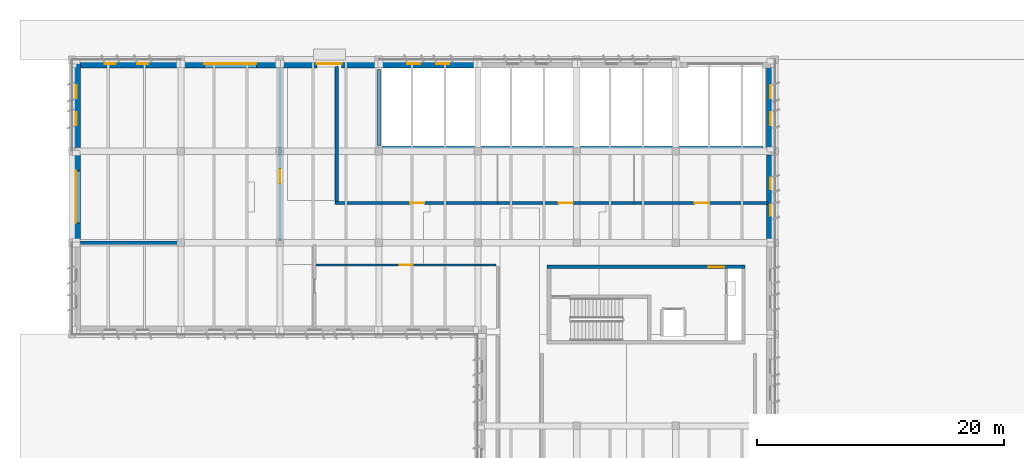
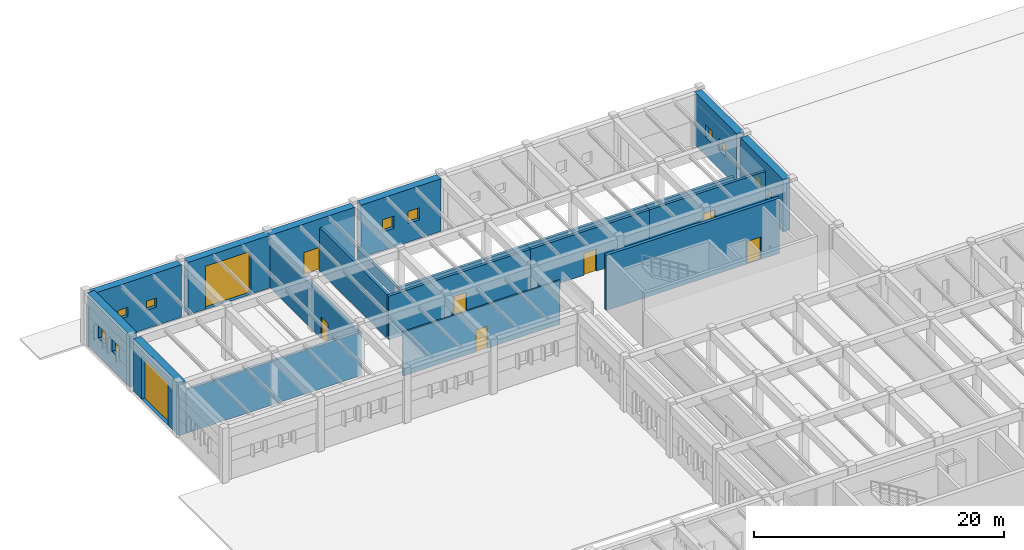
# One storey, part 23 of 56: 18 walls, 10 windows, 9 doors, 19 openings.
"""IFC4 building model written with IfcOpenShell, lengths in metres."""

import ifcopenshell
import ifcopenshell.guid

model = None  # the IFC model being written
_history = None  # IfcOwnerHistory: only IFC2X3 demands one
_inside = {}  # id of a spatial element -> (the spatial element, [elements in it])
_under = {}  # id of a project, library or spatial element -> (it, [spatial elements below it])
_declared = {}  # id of a project -> (the project, [libraries it declares])
_typed = {}  # id of a type object -> (the type object, [elements of that type])
_made_of = {}  # id of a material, layer set ... -> (it, [elements and type objects made of it])


def new_model(schema):
    """Start an empty IFC model of exactly this schema.

    Asked for "IFC4X3", IfcOpenShell would pick the latest addendum, in which some entities
    have other attributes; the version numbers below select the first issue.
    IFC2X3 requires an IfcOwnerHistory on every rooted entity: one is made here for all.
    """
    global model, _history
    if schema == "IFC4X3":
        model = ifcopenshell.file(schema_version=(4, 3, 0, 0))
    else:
        model = ifcopenshell.file(schema=schema)
    _inside.clear()
    _under.clear()
    _declared.clear()
    _typed.clear()
    _made_of.clear()
    _history = None
    if model.schema == "IFC2X3":
        org = make("IfcOrganization", Name="unknown")
        user = make(
            "IfcPersonAndOrganization",
            ThePerson=make("IfcPerson", FamilyName="unknown"),
            TheOrganization=org,
        )
        app = make(
            "IfcApplication",
            ApplicationDeveloper=org,
            Version="unknown",
            ApplicationFullName="unknown",
            ApplicationIdentifier="unknown",
        )
        _history = make(
            "IfcOwnerHistory",
            OwningUser=user,
            OwningApplication=app,
            ChangeAction="ADDED",
            CreationDate=0,
        )
    return model


def make(cls, **values):
    """One entity of the class cls with the attributes given. An attribute that is None is left unset."""
    return model.create_entity(
        cls, **{name: value for name, value in values.items() if value is not None}
    )


def rooted(cls, **values):
    """An entity with a GlobalId (a new one), such as an element, a storey or a relation."""
    return make(cls, GlobalId=ifcopenshell.guid.new(), OwnerHistory=_history, **values)


def si_unit(unit_type, name, prefix=None):
    """IfcSIUnit, for example si_unit("LENGTHUNIT", "METRE", prefix="MILLI")."""
    return make("IfcSIUnit", UnitType=unit_type, Prefix=prefix, Name=name)


def assignment(units):
    """IfcUnitAssignment: the units of a project."""
    return None if units is None else make("IfcUnitAssignment", Units=units)


def point(xyz):
    """IfcCartesianPoint."""
    return None if xyz is None else make("IfcCartesianPoint", Coordinates=xyz)


def direction(xyz):
    """IfcDirection."""
    return None if xyz is None else make("IfcDirection", DirectionRatios=xyz)


def frame(location, z_axis=None, x_axis=None):
    """IfcAxis2Placement3D, a coordinate frame: its origin and axes. An axis left out is left unset."""
    return make(
        "IfcAxis2Placement3D",
        Location=point(location),
        Axis=direction(z_axis),
        RefDirection=direction(x_axis),
    )


def frame_2d(location, x_axis=None):
    """IfcAxis2Placement2D, a coordinate frame in the plane: its origin and x axis."""
    return make(
        "IfcAxis2Placement2D", Location=point(location), RefDirection=direction(x_axis)
    )


def origin():
    """The frame at (0, 0, 0) with its axes left unset."""
    return frame((0.0, 0.0, 0.0))


def place(relative_to, where):
    """IfcLocalPlacement: puts the frame where relative to a parent placement (None: the world)."""
    return make(
        "IfcLocalPlacement", PlacementRelTo=relative_to, RelativePlacement=where
    )


def context(
    kind, dimensions, precision=None, world=None, true_north=None, identifier=None
):
    """IfcGeometricRepresentationContext, for example the 3D "Model" context."""
    return make(
        "IfcGeometricRepresentationContext",
        ContextIdentifier=identifier,
        ContextType=kind,
        CoordinateSpaceDimension=dimensions,
        Precision=precision,
        WorldCoordinateSystem=world,
        TrueNorth=true_north,
    )


def subcontext(parent, identifier, kind, view, scale=None):
    """IfcGeometricRepresentationSubContext, for example "Body" below "Model"."""
    return make(
        "IfcGeometricRepresentationSubContext",
        ContextIdentifier=identifier,
        ContextType=kind,
        ParentContext=parent,
        TargetScale=scale,
        TargetView=view,
    )


def project(units=None, contexts=None):
    """IfcProject with its units and contexts."""
    return rooted(
        "IfcProject",
        Name="project",
        RepresentationContexts=contexts,
        UnitsInContext=assignment(units),
    )


def spatial(cls, under=None, at=None, **own):
    """A site, building, storey or space (cls), placed at a placement, below another one or the project."""
    s = rooted(cls, ObjectPlacement=at, **own)
    if under is not None:
        _under.setdefault(under.id(), (under, []))[1].append(s)
    return s


def profile(cls, at=None, kind="AREA", **sizes):
    """A parametric profile (cls). Its sizes go by their IFC names, for example OverallWidth=200.0."""
    return make(cls, ProfileType=kind, Position=at, **sizes)


def rectangle(**sizes):
    """IfcRectangleProfileDef."""
    return profile("IfcRectangleProfileDef", **sizes)


def extrude(swept, where, along, depth):
    """IfcExtrudedAreaSolid: the profile swept, set in the frame where, extruded along a direction by depth."""
    return make(
        "IfcExtrudedAreaSolid",
        SweptArea=swept,
        Position=where,
        ExtrudedDirection=direction(along),
        Depth=depth,
    )


def shape(context_of_items, identifier, shape_type, items):
    """IfcShapeRepresentation: the items that make up one representation, for example the "Body"."""
    return make(
        "IfcShapeRepresentation",
        ContextOfItems=context_of_items,
        RepresentationIdentifier=identifier,
        RepresentationType=shape_type,
        Items=items,
    )


def material(Name=None, Category=None):
    """IfcMaterial."""
    return make("IfcMaterial", Name=Name, Category=Category)


def layer(
    of_material, thickness, ventilated=None, Name=None, Category=None, Priority=None
):
    """IfcMaterialLayer: one layer of a wall or slab, of a material (None: an air gap)."""
    return make(
        "IfcMaterialLayer",
        Material=of_material,
        LayerThickness=thickness,
        IsVentilated=ventilated,
        Name=Name,
        Category=Category,
        Priority=Priority,
    )


def layer_set(layers, Name=None):
    """IfcMaterialLayerSet."""
    return make("IfcMaterialLayerSet", MaterialLayers=layers, LayerSetName=Name)


def made_of(thing, what):
    """Note that an element or type object is made of a material, layer set ...; save() writes the relation."""
    if what is not None:
        _made_of.setdefault(what.id(), (what, []))[1].append(thing)
    return thing


def type_object(cls, material=None, **own):
    """A type object (cls), such as IfcWallType, which elements share."""
    return made_of(rooted(cls, **own), material)


def element(
    cls,
    number,
    at=None,
    inside=None,
    cuts=None,
    type_object=None,
    material=None,
    context=None,
    identifier="Body",
    shape_type=None,
    held_by="IfcProductDefinitionShape",
    body=None,
    shapes=None,
    **own,
):
    """One element of the class cls, such as IfcWall. Its Tag is "e" and its number.

    at: its placement. inside: the storey or other place that contains it. cuts: it is an
    opening in that element (IfcRelVoidsElement). A single representation is given by context,
    identifier, shape_type and body (its items); several are given by shapes. held_by: the class
    of the entity that holds the representations. save() writes the other relations.
    """
    e = rooted(cls, Tag="e%d" % number, ObjectPlacement=at, **own)
    if body is not None:
        shapes = [shape(context, identifier, shape_type, body)]
    if shapes is not None:
        e.Representation = make(held_by, Representations=shapes)
    if inside is not None:
        _inside.setdefault(inside.id(), (inside, []))[1].append(e)
    if cuts is not None:
        rooted(
            "IfcRelVoidsElement", RelatingBuildingElement=cuts, RelatedOpeningElement=e
        )
    if type_object is not None:
        _typed.setdefault(type_object.id(), (type_object, []))[1].append(e)
    return made_of(e, material)


def fill(opening, filler):
    """IfcRelFillsElement: the door or window that sits in an opening."""
    return rooted(
        "IfcRelFillsElement",
        RelatingOpeningElement=opening,
        RelatedBuildingElement=filler,
    )


def aggregate(whole, parts):
    """IfcRelAggregates: a whole, such as a stair, and the parts it consists of."""
    return rooted("IfcRelAggregates", RelatingObject=whole, RelatedObjects=parts)


def save(model, path):
    """Write the relations noted so far, then the file.

    IfcRelAggregates (storeys below a building ...), IfcRelContainedInSpatialStructure (elements
    in a storey), IfcRelDefinesByType, IfcRelAssociatesMaterial and IfcRelDeclares: one each for
    every whole, place, type object, material and project.
    """
    for whole, parts in _under.values():
        aggregate(whole, parts)
    for where, things in _inside.values():
        rooted(
            "IfcRelContainedInSpatialStructure",
            RelatedElements=things,
            RelatingStructure=where,
        )
    for kind, things in _typed.values():
        rooted("IfcRelDefinesByType", RelatedObjects=things, RelatingType=kind)
    for what, things in _made_of.values():
        rooted("IfcRelAssociatesMaterial", RelatedObjects=things, RelatingMaterial=what)
    for by, libraries in _declared.values():
        rooted("IfcRelDeclares", RelatingContext=by, RelatedDefinitions=libraries)
    model.write(path)


model = new_model("IFC4")

# Units and contexts
model_context = context("Model", 3, precision=1e-05, world=origin(), true_north=direction((0.0, 1.0)))
body_context = subcontext(model_context, "Body", "Model", "MODEL_VIEW")
ifc_project = project(units=[si_unit("LENGTHUNIT", "METRE"), si_unit("AREAUNIT", "SQUARE_METRE"), si_unit("VOLUMEUNIT", "CUBIC_METRE"), si_unit("PLANEANGLEUNIT", "RADIAN"), si_unit("MASSUNIT", "GRAM", prefix="KILO")], contexts=[model_context])

# Site, building, storey
site_placement = place(None, origin())
site = spatial("IfcSite", under=ifc_project, at=site_placement, CompositionType="ELEMENT")
building_placement = place(site_placement, origin())
building = spatial("IfcBuilding", under=site, at=building_placement, Name="Valkorina Park Police Headquarters", CompositionType="ELEMENT")
storey_placement = place(building_placement, origin())
storey = spatial("IfcBuildingStorey", under=building, at=storey_placement, Name="L01", CompositionType="ELEMENT", Elevation=0.0)

# Wall, opening, door
ifc_material_1 = material(Name="Acoustic mineral board")
ifc_layer_1 = layer(ifc_material_1, 0.14990234375)
ifc_layer_set_1 = layer_set([ifc_layer_1], Name="Acoustic mineral board")
wall_type_1 = type_object("IfcWallType", Name="WL-ACOUST-150-EI30", PredefinedType="PARTITIONING", material=ifc_layer_set_1)
wall_1_placement = place(storey_placement, frame((19.739990234375, 94.39990234375, 0.0), z_axis=(0.0, 0.0, 1.0), x_axis=(1.0, 0.0, 0.0)))
wall_1 = element("IfcWall", 1, at=wall_1_placement, inside=storey, type_object=wall_type_1, Name="L01 Interior Partition 0078 (L01-CUS-05)", PredefinedType="PARTITIONING", context=body_context, shape_type="SweptSolid", body=[
    extrude(rectangle(XDim=14.52001953125, YDim=0.14990234375, at=frame_2d((7.260009765625, 0.0))), origin(), (0.0, 0.0, 1.0), 4.27001953125),
])
opening_1_placement = place(wall_1_placement, frame((6.735107421875, 0.0, 0.0)))
opening_1 = element("IfcOpeningElement", 2, at=opening_1_placement, cuts=wall_1, Name="Opening FD-01", PredefinedType="OPENING", context=body_context, shape_type="SweptSolid", body=[
    extrude(rectangle(XDim=1.050048828125, YDim=2.14990234375, at=frame_2d((0.52490234375, 1.074951171875))), frame((0.0, 0.0849609375, 0.0), z_axis=(0.0, -1.0, 0.0), x_axis=(1.0, 0.0, 0.0)), (0.0, 0.0, 1.0), 0.169921875),
])
ifc_material_2 = material(Name="Galvanized steel door leaf", Category="steel")
ifc_layer_2 = layer(ifc_material_2, 0.050048828125)
ifc_layer_set_2 = layer_set([ifc_layer_2], Name="Galvanized steel door leaf")
door_type_1 = type_object("IfcDoorType", Name="DR-FIRE-CELL-1050x2150", OperationType="NOTDEFINED", PredefinedType="DOOR", material=ifc_layer_set_2)
door_1_placement = place(opening_1_placement, origin())
door_1 = element("IfcDoor", 3, at=door_1_placement, inside=storey, type_object=door_type_1, Name="Door D-L01-I036 (L01-CUS-05)", OperationType="SINGLE_SWING_LEFT", OverallHeight=2.14990234375, OverallWidth=1.050048828125, PredefinedType="DOOR", context=body_context, shape_type="SweptSolid", body=[
    extrude(rectangle(XDim=1.050048828125, YDim=2.14990234375, at=frame_2d((0.52490234375, 1.074951171875))), frame((0.0, 0.02490234375, 0.0), z_axis=(0.0, -1.0, 0.0), x_axis=(1.0, 0.0, 0.0)), (0.0, 0.0, 1.0), 0.050048828125),
])
fill(opening_1, door_1)

ifc_material_3 = material(Name="Concrete C40/50", Category="concrete")
ifc_layer_3 = layer(ifc_material_3, 0.300048828125)
ifc_layer_set_3 = layer_set([ifc_layer_3], Name="Concrete C40/50")
wall_type_2 = type_object("IfcWallType", Name="WL-CORE-300-REI120", PredefinedType="SHEAR", material=ifc_layer_set_3)
wall_2_placement = place(storey_placement, frame((38.39990234375, 94.25, 0.0), z_axis=(0.0, 0.0, 1.0), x_axis=(1.0, 0.0, 0.0)))
wall_2 = element("IfcWall", 4, at=wall_2_placement, inside=storey, type_object=wall_type_2, Name="Core C4 L01 Shear Wall N", PredefinedType="SHEAR", context=body_context, shape_type="SweptSolid", body=[
    extrude(rectangle(XDim=16.0, YDim=0.300048828125, at=frame_2d((8.0, 0.0))), origin(), (0.0, 0.0, 1.0), 5.39501953125),
])
opening_2_placement = place(wall_2_placement, frame((13.0, 0.0, 0.0)))
opening_2 = element("IfcOpeningElement", 5, at=opening_2_placement, cuts=wall_2, Name="Opening FD-03", PredefinedType="OPENING", context=body_context, shape_type="SweptSolid", body=[
    extrude(rectangle(XDim=1.300048828125, YDim=2.199951171875, at=frame_2d((0.64990234375, 1.10009765625))), frame((0.0, 0.16015625, 0.0), z_axis=(0.0, -1.0, 0.0), x_axis=(1.0, 0.0, 0.0)), (0.0, 0.0, 1.0), 0.320068359375),
])
ifc_layer_4 = layer(ifc_material_2, 0.050048828125)
ifc_layer_set_4 = layer_set([ifc_layer_4], Name="Galvanized steel door leaf")
door_type_2 = type_object("IfcDoorType", Name="DR-FIRE-STAIR-1300x2200", OperationType="NOTDEFINED", PredefinedType="DOOR", material=ifc_layer_set_4)
door_2_placement = place(opening_2_placement, origin())
door_2 = element("IfcDoor", 6, at=door_2_placement, inside=storey, type_object=door_type_2, Name="Door D-L01-LBY-C4 (Core C4 Lobby Fire Door)", OperationType="SINGLE_SWING_LEFT", OverallHeight=2.199951171875, OverallWidth=1.300048828125, PredefinedType="DOOR", context=body_context, shape_type="SweptSolid", body=[
    extrude(rectangle(XDim=1.300048828125, YDim=2.199951171875, at=frame_2d((0.64990234375, 1.10009765625))), frame((0.0, 0.02490234375, 0.0), z_axis=(0.0, -1.0, 0.0), x_axis=(1.0, 0.0, 0.0)), (0.0, 0.0, 1.0), 0.050048828125),
])
fill(opening_2, door_2)

# Wall
ifc_layer_5 = layer(ifc_material_3, 0.25)
ifc_layer_set_5 = layer_set([ifc_layer_5], Name="Concrete C40/50")
wall_type_3 = type_object("IfcWallType", Name="WL-CUST-250-REI120", PredefinedType="SOLIDWALL", material=ifc_layer_set_5)
wall_3_placement = place(storey_placement, frame((0.679931640625, 96.199951171875, 0.0), z_axis=(0.0, 0.0, 1.0), x_axis=(1.0, 0.0, 0.0)))
element("IfcWall", 7, at=wall_3_placement, inside=storey, type_object=wall_type_3, Name="L01 Interior Partition 0071 (L01-CUS-SP)", PredefinedType="SOLIDWALL", context=body_context, shape_type="SweptSolid", body=[
    extrude(rectangle(XDim=16.2451171875, YDim=0.25, at=frame_2d((8.12255859375, 0.0))), origin(), (0.0, 0.0, 1.0), 4.27001953125),
])

# Wall, opening, door
wall_4_placement = place(storey_placement, frame((16.800048828125, 96.324951171875, 0.0), z_axis=(0.0, 0.0, 1.0), x_axis=(0.0, 1.0, 0.0)))
wall_4 = element("IfcWall", 8, at=wall_4_placement, inside=storey, type_object=wall_type_3, Name="L01 Interior Partition 0072 (L01-CUS-SP)", PredefinedType="SOLIDWALL", context=body_context, shape_type="SweptSolid", body=[
    extrude(rectangle(XDim=13.9951171875, YDim=0.25, at=frame_2d((6.99755859375, 0.0))), origin(), (0.0, 0.0, 1.0), 4.27001953125),
])
opening_3_placement = place(wall_4_placement, frame((4.674560546875, 0.0, 0.0)))
opening_3 = element("IfcOpeningElement", 9, at=opening_3_placement, cuts=wall_4, Name="Opening FD-02", PredefinedType="OPENING", context=body_context, shape_type="SweptSolid", body=[
    extrude(rectangle(XDim=1.14990234375, YDim=2.14990234375, at=frame_2d((0.574951171875, 1.074951171875))), frame((0.0, 0.135009765625, 0.0), z_axis=(0.0, -1.0, 0.0), x_axis=(1.0, 0.0, 0.0)), (0.0, 0.0, 1.0), 0.27001953125),
])
ifc_layer_6 = layer(ifc_material_2, 0.050048828125)
ifc_layer_set_6 = layer_set([ifc_layer_6], Name="Galvanized steel door leaf")
door_type_3 = type_object("IfcDoorType", Name="DR-FIRE-CUST-1150x2150", OperationType="NOTDEFINED", PredefinedType="DOOR", material=ifc_layer_set_6)
door_3_placement = place(opening_3_placement, origin())
door_3 = element("IfcDoor", 10, at=door_3_placement, inside=storey, type_object=door_type_3, Name="Door D-L01-I031 (L01-CUS-SP)", OperationType="SINGLE_SWING_RIGHT", OverallHeight=2.14990234375, OverallWidth=1.14990234375, PredefinedType="DOOR", context=body_context, shape_type="SweptSolid", body=[
    extrude(rectangle(XDim=1.14990234375, YDim=2.14990234375, at=frame_2d((0.574951171875, 1.074951171875))), frame((0.0, 0.02490234375, 0.0), z_axis=(0.0, -1.0, 0.0), x_axis=(1.0, 0.0, 0.0)), (0.0, 0.0, 1.0), 0.050048828125),
])
fill(opening_3, door_3)

wall_5_placement = place(storey_placement, frame((21.27490234375, 99.39990234375, 0.0), z_axis=(0.0, 0.0, 1.0), x_axis=(1.0, 0.0, 0.0)))
wall_5 = element("IfcWall", 11, at=wall_5_placement, inside=storey, type_object=wall_type_3, Name="L01 Interior Partition 0073 (L01-CUS-01)", PredefinedType="SOLIDWALL", context=body_context, shape_type="SweptSolid", body=[
    extrude(rectangle(XDim=13.125, YDim=0.25, at=frame_2d((6.5625, 0.0))), origin(), (0.0, 0.0, 1.0), 4.27001953125),
])
opening_4_placement = place(wall_5_placement, frame((6.050048828125, 0.0, 0.0)))
opening_4 = element("IfcOpeningElement", 12, at=opening_4_placement, cuts=wall_5, Name="Opening FD-02", PredefinedType="OPENING", context=body_context, shape_type="SweptSolid", body=[
    extrude(rectangle(XDim=1.14990234375, YDim=2.14990234375, at=frame_2d((0.574951171875, 1.074951171875))), frame((0.0, 0.135009765625, 0.0), z_axis=(0.0, -1.0, 0.0), x_axis=(1.0, 0.0, 0.0)), (0.0, 0.0, 1.0), 0.27001953125),
])
door_4_placement = place(opening_4_placement, origin())
door_4 = element("IfcDoor", 13, at=door_4_placement, inside=storey, type_object=door_type_3, Name="Door D-L01-I032 (L01-CUS-01)", OperationType="SINGLE_SWING_LEFT", OverallHeight=2.14990234375, OverallWidth=1.14990234375, PredefinedType="DOOR", context=body_context, shape_type="SweptSolid", body=[
    extrude(rectangle(XDim=1.14990234375, YDim=2.14990234375, at=frame_2d((0.574951171875, 1.074951171875))), frame((0.0, 0.02490234375, 0.0), z_axis=(0.0, -1.0, 0.0), x_axis=(1.0, 0.0, 0.0)), (0.0, 0.0, 1.0), 0.050048828125),
])
fill(opening_4, door_4)

# Wall
wall_6_placement = place(storey_placement, frame((21.39990234375, 99.52490234375, 0.0), z_axis=(0.0, 0.0, 1.0), x_axis=(0.0, 1.0, 0.0)))
element("IfcWall", 14, at=wall_6_placement, inside=storey, type_object=wall_type_3, Name="L01 Interior Partition 0074 (L01-CUS-01)", PredefinedType="SOLIDWALL", context=body_context, shape_type="SweptSolid", body=[
    extrude(rectangle(XDim=10.93505859375, YDim=0.25, at=frame_2d((5.467529296875, 0.0))), origin(), (0.0, 0.0, 1.0), 4.27001953125),
])

# Wall, opening, door
wall_7_placement = place(storey_placement, frame((34.39990234375, 99.39990234375, 0.0), z_axis=(0.0, 0.0, 1.0), x_axis=(1.0, 0.0, 0.0)))
wall_7 = element("IfcWall", 15, at=wall_7_placement, inside=storey, type_object=wall_type_3, Name="L01 Interior Partition 0075 (L01-CUS-02)", PredefinedType="SOLIDWALL", context=body_context, shape_type="SweptSolid", body=[
    extrude(rectangle(XDim=11.0, YDim=0.25, at=frame_2d((5.5, 0.0))), origin(), (0.0, 0.0, 1.0), 4.27001953125),
])
opening_5_placement = place(wall_7_placement, frame((4.925048828125, 0.0, 0.0)))
opening_5 = element("IfcOpeningElement", 16, at=opening_5_placement, cuts=wall_7, Name="Opening FD-02", PredefinedType="OPENING", context=body_context, shape_type="SweptSolid", body=[
    extrude(rectangle(XDim=1.14990234375, YDim=2.14990234375, at=frame_2d((0.574951171875, 1.074951171875))), frame((0.0, 0.135009765625, 0.0), z_axis=(0.0, -1.0, 0.0), x_axis=(1.0, 0.0, 0.0)), (0.0, 0.0, 1.0), 0.27001953125),
])
door_5_placement = place(opening_5_placement, origin())
door_5 = element("IfcDoor", 17, at=door_5_placement, inside=storey, type_object=door_type_3, Name="Door D-L01-I033 (L01-CUS-02)", OperationType="SINGLE_SWING_RIGHT", OverallHeight=2.14990234375, OverallWidth=1.14990234375, PredefinedType="DOOR", context=body_context, shape_type="SweptSolid", body=[
    extrude(rectangle(XDim=1.14990234375, YDim=2.14990234375, at=frame_2d((0.574951171875, 1.074951171875))), frame((0.0, 0.02490234375, 0.0), z_axis=(0.0, -1.0, 0.0), x_axis=(1.0, 0.0, 0.0)), (0.0, 0.0, 1.0), 0.050048828125),
])
fill(opening_5, door_5)

wall_8_placement = place(storey_placement, frame((45.39990234375, 99.39990234375, 0.0), z_axis=(0.0, 0.0, 1.0), x_axis=(1.0, 0.0, 0.0)))
wall_8 = element("IfcWall", 18, at=wall_8_placement, inside=storey, type_object=wall_type_3, Name="L01 Interior Partition 0076 (L01-CUS-03)", PredefinedType="SOLIDWALL", context=body_context, shape_type="SweptSolid", body=[
    extrude(rectangle(XDim=10.860107421875, YDim=0.25, at=frame_2d((5.43017578125, 0.0))), origin(), (0.0, 0.0, 1.0), 4.27001953125),
])
opening_6_placement = place(wall_8_placement, frame((4.925048828125, 0.0, 0.0)))
opening_6 = element("IfcOpeningElement", 19, at=opening_6_placement, cuts=wall_8, Name="Opening FD-02", PredefinedType="OPENING", context=body_context, shape_type="SweptSolid", body=[
    extrude(rectangle(XDim=1.14990234375, YDim=2.14990234375, at=frame_2d((0.574951171875, 1.074951171875))), frame((0.0, 0.135009765625, 0.0), z_axis=(0.0, -1.0, 0.0), x_axis=(1.0, 0.0, 0.0)), (0.0, 0.0, 1.0), 0.27001953125),
])
door_6_placement = place(opening_6_placement, origin())
door_6 = element("IfcDoor", 20, at=door_6_placement, inside=storey, type_object=door_type_3, Name="Door D-L01-I034 (L01-CUS-03)", OperationType="SINGLE_SWING_LEFT", OverallHeight=2.14990234375, OverallWidth=1.14990234375, PredefinedType="DOOR", context=body_context, shape_type="SweptSolid", body=[
    extrude(rectangle(XDim=1.14990234375, YDim=2.14990234375, at=frame_2d((0.574951171875, 1.074951171875))), frame((0.0, 0.02490234375, 0.0), z_axis=(0.0, -1.0, 0.0), x_axis=(1.0, 0.0, 0.0)), (0.0, 0.0, 1.0), 0.050048828125),
])
fill(opening_6, door_6)

ifc_material_4 = material(Name="Precast concrete C40/50", Category="concrete")
ifc_layer_7 = layer(ifc_material_4, 0.679931640625)
ifc_layer_set_7 = layer_set([ifc_layer_7], Name="Precast concrete C40/50")
wall_type_4 = type_object("IfcWallType", Name="WL-EXT-DOLOMITE-680", PredefinedType="SOLIDWALL", material=ifc_layer_set_7)
wall_9_placement = place(storey_placement, frame((0.340087890625, 96.074951171875, 0.0), z_axis=(0.0, 0.0, 1.0), x_axis=(0.0, 1.0, 0.0)))
wall_9 = element("IfcWall", 21, at=wall_9_placement, inside=storey, type_object=wall_type_4, Name="L01 Architectural Concrete Exterior Wall 0022", PredefinedType="SOLIDWALL", context=body_context, shape_type="SweptSolid", body=[
    extrude(rectangle(XDim=7.215087890625, YDim=0.679931640625, at=frame_2d((3.607421875, 0.0))), origin(), (0.0, 0.0, 1.0), 5.139892578125),
])
opening_7_placement = place(wall_9_placement, frame((1.72509765625, 0.0, 0.0)))
opening_7 = element("IfcOpeningElement", 22, at=opening_7_placement, cuts=wall_9, Name="Opening SPG-01", PredefinedType="OPENING", context=body_context, shape_type="SweptSolid", body=[
    extrude(rectangle(XDim=4.199951171875, YDim=4.199951171875, at=frame_2d((2.10009765625, 2.10009765625))), frame((0.0, 0.35009765625, 0.0), z_axis=(0.0, -1.0, 0.0), x_axis=(1.0, 0.0, 0.0)), (0.0, 0.0, 1.0), 0.699951171875),
])
ifc_layer_8 = layer(ifc_material_2, 0.050048828125)
ifc_layer_set_8 = layer_set([ifc_layer_8], Name="Galvanized steel door leaf")
door_type_4 = type_object("IfcDoorType", Name="DR-SHUTTER-SALLY-4200x4200", OperationType="NOTDEFINED", PredefinedType="USERDEFINED", material=ifc_layer_set_8)
door_7_placement = place(opening_7_placement, origin())
door_7 = element("IfcDoor", 23, at=door_7_placement, inside=storey, type_object=door_type_4, Name="Door D-L01-002 (SPG-01 Sally Port Interlocked Shutter)", ObjectType="ROLLER SHUTTER", OperationType="ROLLINGUP", OverallHeight=4.199951171875, OverallWidth=4.199951171875, PredefinedType="USERDEFINED", context=body_context, shape_type="SweptSolid", body=[
    extrude(rectangle(XDim=4.199951171875, YDim=4.199951171875, at=frame_2d((2.10009765625, 2.10009765625))), frame((0.0, 0.02490234375, 0.0), z_axis=(0.0, -1.0, 0.0), x_axis=(1.0, 0.0, 0.0)), (0.0, 0.0, 1.0), 0.050048828125),
])
fill(opening_7, door_7)

# Wall, openings, windows
wall_10_placement = place(storey_placement, frame((0.340087890625, 103.909912109375, 0.0), z_axis=(0.0, 0.0, 1.0), x_axis=(0.0, 1.0, 0.0)))
wall_10 = element("IfcWall", 24, at=wall_10_placement, inside=storey, type_object=wall_type_4, Name="L01 Architectural Concrete Exterior Wall 0023", PredefinedType="SOLIDWALL", context=body_context, shape_type="SweptSolid", body=[
    extrude(rectangle(XDim=6.780029296875, YDim=0.679931640625, at=frame_2d((3.39013671875, 0.0))), origin(), (0.0, 0.0, 1.0), 5.139892578125),
])
opening_8_placement = place(wall_10_placement, frame((1.7802734375, 0.0, 1.800048828125)))
opening_8 = element("IfcOpeningElement", 25, at=opening_8_placement, cuts=wall_10, Name="Opening WN-16", PredefinedType="OPENING", context=body_context, shape_type="SweptSolid", body=[
    extrude(rectangle(XDim=1.050048828125, YDim=1.199951171875, at=frame_2d((0.52490234375, 0.60009765625))), frame((0.0, 0.35009765625, 0.0), z_axis=(0.0, -1.0, 0.0), x_axis=(1.0, 0.0, 0.0)), (0.0, 0.0, 1.0), 0.699951171875),
])
opening_9_placement = place(wall_10_placement, frame((3.94970703125, 0.0, 1.800048828125)))
opening_9 = element("IfcOpeningElement", 26, at=opening_9_placement, cuts=wall_10, Name="Opening WN-16", PredefinedType="OPENING", context=body_context, shape_type="SweptSolid", body=[
    extrude(rectangle(XDim=1.050048828125, YDim=1.199951171875, at=frame_2d((0.52490234375, 0.60009765625))), frame((0.0, 0.35009765625, 0.0), z_axis=(0.0, -1.0, 0.0), x_axis=(1.0, 0.0, 0.0)), (0.0, 0.0, 1.0), 0.699951171875),
])
ifc_material_5 = material(Name="Ballistic laminated glazing BR4-NS", Category="glass")
ifc_layer_9 = layer(ifc_material_5, 0.06005859375)
ifc_layer_set_9 = layer_set([ifc_layer_9], Name="Ballistic laminated glazing BR4-NS")
window_type_1 = type_object("IfcWindowType", Name="WN-CUST-1050x1200", PartitioningType="SINGLE_PANEL", PredefinedType="WINDOW", material=ifc_layer_set_9)
window_1_placement = place(opening_8_placement, origin())
window_1 = element("IfcWindow", 27, at=window_1_placement, inside=storey, type_object=window_type_1, Name="Window L01-0041", OverallHeight=1.199951171875, OverallWidth=1.050048828125, PartitioningType="SINGLE_PANEL", PredefinedType="WINDOW", context=body_context, shape_type="SweptSolid", body=[
    extrude(rectangle(XDim=1.050048828125, YDim=1.199951171875, at=frame_2d((0.52490234375, 0.60009765625))), frame((0.0, 0.030029296875, 0.0), z_axis=(0.0, -1.0, 0.0), x_axis=(1.0, 0.0, 0.0)), (0.0, 0.0, 1.0), 0.06005859375),
])
fill(opening_8, window_1)
window_2_placement = place(opening_9_placement, origin())
window_2 = element("IfcWindow", 28, at=window_2_placement, inside=storey, type_object=window_type_1, Name="Window L01-0042", OverallHeight=1.199951171875, OverallWidth=1.050048828125, PartitioningType="SINGLE_PANEL", PredefinedType="WINDOW", context=body_context, shape_type="SweptSolid", body=[
    extrude(rectangle(XDim=1.050048828125, YDim=1.199951171875, at=frame_2d((0.52490234375, 0.60009765625))), frame((0.0, 0.030029296875, 0.0), z_axis=(0.0, -1.0, 0.0), x_axis=(1.0, 0.0, 0.0)), (0.0, 0.0, 1.0), 0.06005859375),
])
fill(opening_9, window_2)

wall_11_placement = place(storey_placement, frame((0.31005859375, 110.659912109375, 0.0), z_axis=(0.0, 0.0, 1.0), x_axis=(1.0, 0.0, 0.0)))
wall_11 = element("IfcWall", 29, at=wall_11_placement, inside=storey, type_object=wall_type_4, Name="L01 Architectural Concrete Exterior Wall 0024", PredefinedType="SOLIDWALL", context=body_context, shape_type="SweptSolid", body=[
    extrude(rectangle(XDim=8.179931640625, YDim=0.679931640625, at=frame_2d((4.08984375, 0.0))), origin(), (0.0, 0.0, 1.0), 5.139892578125),
])
opening_10_placement = place(wall_11_placement, frame((2.331298828125, 0.0, 1.800048828125)))
opening_10 = element("IfcOpeningElement", 30, at=opening_10_placement, cuts=wall_11, Name="Opening WN-13", PredefinedType="OPENING", context=body_context, shape_type="SweptSolid", body=[
    extrude(rectangle(XDim=0.89990234375, YDim=0.89990234375, at=frame_2d((0.449951171875, 0.449951171875))), frame((0.0, 0.35009765625, 0.0), z_axis=(0.0, -1.0, 0.0), x_axis=(1.0, 0.0, 0.0)), (0.0, 0.0, 1.0), 0.699951171875),
])
opening_11_placement = place(wall_11_placement, frame((4.94873046875, 0.0, 1.800048828125)))
opening_11 = element("IfcOpeningElement", 31, at=opening_11_placement, cuts=wall_11, Name="Opening WN-13", PredefinedType="OPENING", context=body_context, shape_type="SweptSolid", body=[
    extrude(rectangle(XDim=0.89990234375, YDim=0.89990234375, at=frame_2d((0.449951171875, 0.449951171875))), frame((0.0, 0.35009765625, 0.0), z_axis=(0.0, -1.0, 0.0), x_axis=(1.0, 0.0, 0.0)), (0.0, 0.0, 1.0), 0.699951171875),
])
ifc_layer_10 = layer(ifc_material_5, 0.06005859375)
ifc_layer_set_10 = layer_set([ifc_layer_10], Name="Ballistic laminated glazing BR4-NS")
window_type_2 = type_object("IfcWindowType", Name="WN-CUST-900x900", PartitioningType="SINGLE_PANEL", PredefinedType="WINDOW", material=ifc_layer_set_10)
window_3_placement = place(opening_10_placement, origin())
window_3 = element("IfcWindow", 32, at=window_3_placement, inside=storey, type_object=window_type_2, Name="Window L01-0043", OverallHeight=0.89990234375, OverallWidth=0.89990234375, PartitioningType="SINGLE_PANEL", PredefinedType="WINDOW", context=body_context, shape_type="SweptSolid", body=[
    extrude(rectangle(XDim=0.89990234375, YDim=0.89990234375, at=frame_2d((0.449951171875, 0.449951171875))), frame((0.0, 0.030029296875, 0.0), z_axis=(0.0, -1.0, 0.0), x_axis=(1.0, 0.0, 0.0)), (0.0, 0.0, 1.0), 0.06005859375),
])
fill(opening_10, window_3)
window_4_placement = place(opening_11_placement, origin())
window_4 = element("IfcWindow", 33, at=window_4_placement, inside=storey, type_object=window_type_2, Name="Window L01-0044", OverallHeight=0.89990234375, OverallWidth=0.89990234375, PartitioningType="SINGLE_PANEL", PredefinedType="WINDOW", context=body_context, shape_type="SweptSolid", body=[
    extrude(rectangle(XDim=0.89990234375, YDim=0.89990234375, at=frame_2d((0.449951171875, 0.449951171875))), frame((0.0, 0.030029296875, 0.0), z_axis=(0.0, -1.0, 0.0), x_axis=(1.0, 0.0, 0.0)), (0.0, 0.0, 1.0), 0.06005859375),
])
fill(opening_11, window_4)

# Wall, opening, door
wall_12_placement = place(storey_placement, frame((9.110107421875, 110.659912109375, 0.0), z_axis=(0.0, 0.0, 1.0), x_axis=(1.0, 0.0, 0.0)))
wall_12 = element("IfcWall", 34, at=wall_12_placement, inside=storey, type_object=wall_type_4, Name="L01 Architectural Concrete Exterior Wall 0025", PredefinedType="SOLIDWALL", context=body_context, shape_type="SweptSolid", body=[
    extrude(rectangle(XDim=7.81494140625, YDim=0.679931640625, at=frame_2d((3.907470703125, 0.0))), origin(), (0.0, 0.0, 1.0), 5.139892578125),
])
opening_12_placement = place(wall_12_placement, frame((1.590087890625, 0.0, 0.0)))
opening_12 = element("IfcOpeningElement", 35, at=opening_12_placement, cuts=wall_12, Name="Opening SPG-01", PredefinedType="OPENING", context=body_context, shape_type="SweptSolid", body=[
    extrude(rectangle(XDim=4.199951171875, YDim=4.199951171875, at=frame_2d((2.10009765625, 2.10009765625))), frame((0.0, 0.35009765625, 0.0), z_axis=(0.0, -1.0, 0.0), x_axis=(1.0, 0.0, 0.0)), (0.0, 0.0, 1.0), 0.699951171875),
])
door_8_placement = place(opening_12_placement, origin())
door_8 = element("IfcDoor", 36, at=door_8_placement, inside=storey, type_object=door_type_4, Name="Door D-L01-003 (SPG-01 Sally Port Interlocked Shutter)", ObjectType="ROLLER SHUTTER", OperationType="ROLLINGUP", OverallHeight=4.199951171875, OverallWidth=4.199951171875, PredefinedType="USERDEFINED", context=body_context, shape_type="SweptSolid", body=[
    extrude(rectangle(XDim=4.199951171875, YDim=4.199951171875, at=frame_2d((2.10009765625, 2.10009765625))), frame((0.0, 0.02490234375, 0.0), z_axis=(0.0, -1.0, 0.0), x_axis=(1.0, 0.0, 0.0)), (0.0, 0.0, 1.0), 0.050048828125),
])
fill(opening_12, door_8)

wall_13_placement = place(storey_placement, frame((16.675048828125, 110.659912109375, 0.0), z_axis=(0.0, 0.0, 1.0), x_axis=(1.0, 0.0, 0.0)))
wall_13 = element("IfcWall", 37, at=wall_13_placement, inside=storey, type_object=wall_type_4, Name="L01 Architectural Concrete Exterior Wall 0026", PredefinedType="SOLIDWALL", context=body_context, shape_type="SweptSolid", body=[
    extrude(rectangle(XDim=7.81494140625, YDim=0.679931640625, at=frame_2d((3.907470703125, 0.0))), origin(), (0.0, 0.0, 1.0), 5.139892578125),
])
opening_13_placement = place(wall_13_placement, frame((3.125, 0.0, 0.0)))
opening_13 = element("IfcOpeningElement", 38, at=opening_13_placement, cuts=wall_13, Name="Opening ED-02", PredefinedType="OPENING", context=body_context, shape_type="SweptSolid", body=[
    extrude(rectangle(XDim=2.0, YDim=2.35009765625, at=frame_2d((1.0, 1.175048828125))), frame((0.0, 0.35009765625, 0.0), z_axis=(0.0, -1.0, 0.0), x_axis=(1.0, 0.0, 0.0)), (0.0, 0.0, 1.0), 0.699951171875),
])
ifc_material_6 = material(Name="Thermally broken aluminium AW-6060", Category="aluminium")
ifc_layer_11 = layer(ifc_material_6, 0.050048828125)
ifc_layer_set_11 = layer_set([ifc_layer_11], Name="Thermally broken aluminium AW-6060")
door_type_5 = type_object("IfcDoorType", Name="DR-EXT-EXIT-2000x2350", OperationType="NOTDEFINED", PredefinedType="DOOR", material=ifc_layer_set_11)
door_9_placement = place(opening_13_placement, origin())
door_9 = element("IfcDoor", 39, at=door_9_placement, inside=storey, type_object=door_type_5, Name="Door D-L01-004 (Final Pedestrian Exit)", OperationType="DOUBLE_DOOR_SINGLE_SWING", OverallHeight=2.35009765625, OverallWidth=2.0, PredefinedType="DOOR", context=body_context, shape_type="SweptSolid", body=[
    extrude(rectangle(XDim=2.0, YDim=2.35009765625, at=frame_2d((1.0, 1.175048828125))), frame((0.0, 0.02490234375, 0.0), z_axis=(0.0, -1.0, 0.0), x_axis=(1.0, 0.0, 0.0)), (0.0, 0.0, 1.0), 0.050048828125),
])
fill(opening_13, door_9)

# Wall, openings, windows
wall_14_placement = place(storey_placement, frame((25.110107421875, 110.659912109375, 0.0), z_axis=(0.0, 0.0, 1.0), x_axis=(1.0, 0.0, 0.0)))
wall_14 = element("IfcWall", 40, at=wall_14_placement, inside=storey, type_object=wall_type_4, Name="L01 Architectural Concrete Exterior Wall 0027", PredefinedType="SOLIDWALL", context=body_context, shape_type="SweptSolid", body=[
    extrude(rectangle(XDim=7.3798828125, YDim=0.679931640625, at=frame_2d((3.68994140625, 0.0))), origin(), (0.0, 0.0, 1.0), 5.139892578125),
])
opening_14_placement = place(wall_14_placement, frame((1.984130859375, 0.0, 1.800048828125)))
opening_14 = element("IfcOpeningElement", 41, at=opening_14_placement, cuts=wall_14, Name="Opening WN-16", PredefinedType="OPENING", context=body_context, shape_type="SweptSolid", body=[
    extrude(rectangle(XDim=1.050048828125, YDim=1.199951171875, at=frame_2d((0.52490234375, 0.60009765625))), frame((0.0, 0.35009765625, 0.0), z_axis=(0.0, -1.0, 0.0), x_axis=(1.0, 0.0, 0.0)), (0.0, 0.0, 1.0), 0.699951171875),
])
opening_15_placement = place(wall_14_placement, frame((4.345703125, 0.0, 1.800048828125)))
opening_15 = element("IfcOpeningElement", 42, at=opening_15_placement, cuts=wall_14, Name="Opening WN-16", PredefinedType="OPENING", context=body_context, shape_type="SweptSolid", body=[
    extrude(rectangle(XDim=1.050048828125, YDim=1.199951171875, at=frame_2d((0.52490234375, 0.60009765625))), frame((0.0, 0.35009765625, 0.0), z_axis=(0.0, -1.0, 0.0), x_axis=(1.0, 0.0, 0.0)), (0.0, 0.0, 1.0), 0.699951171875),
])
window_5_placement = place(opening_14_placement, origin())
window_5 = element("IfcWindow", 43, at=window_5_placement, inside=storey, type_object=window_type_1, Name="Window L01-0045", OverallHeight=1.199951171875, OverallWidth=1.050048828125, PartitioningType="SINGLE_PANEL", PredefinedType="WINDOW", context=body_context, shape_type="SweptSolid", body=[
    extrude(rectangle(XDim=1.050048828125, YDim=1.199951171875, at=frame_2d((0.52490234375, 0.60009765625))), frame((0.0, 0.030029296875, 0.0), z_axis=(0.0, -1.0, 0.0), x_axis=(1.0, 0.0, 0.0)), (0.0, 0.0, 1.0), 0.06005859375),
])
fill(opening_14, window_5)
window_6_placement = place(opening_15_placement, origin())
window_6 = element("IfcWindow", 44, at=window_6_placement, inside=storey, type_object=window_type_1, Name="Window L01-0046", OverallHeight=1.199951171875, OverallWidth=1.050048828125, PartitioningType="SINGLE_PANEL", PredefinedType="WINDOW", context=body_context, shape_type="SweptSolid", body=[
    extrude(rectangle(XDim=1.050048828125, YDim=1.199951171875, at=frame_2d((0.52490234375, 0.60009765625))), frame((0.0, 0.030029296875, 0.0), z_axis=(0.0, -1.0, 0.0), x_axis=(1.0, 0.0, 0.0)), (0.0, 0.0, 1.0), 0.06005859375),
])
fill(opening_15, window_6)

wall_15_placement = place(storey_placement, frame((56.4599609375, 110.68994140625, 0.0), z_axis=(0.0, 0.0, 1.0), x_axis=(0.0, -1.0, 0.0)))
wall_15 = element("IfcWall", 45, at=wall_15_placement, inside=storey, type_object=wall_type_4, Name="L01 Architectural Concrete Exterior Wall 0031", PredefinedType="SOLIDWALL", context=body_context, shape_type="SweptSolid", body=[
    extrude(rectangle(XDim=6.780029296875, YDim=0.679931640625, at=frame_2d((3.39013671875, 0.0))), origin(), (0.0, 0.0, 1.0), 5.139892578125),
])
opening_16_placement = place(wall_15_placement, frame((1.7802734375, 0.0, 1.800048828125)))
opening_16 = element("IfcOpeningElement", 46, at=opening_16_placement, cuts=wall_15, Name="Opening WN-16", PredefinedType="OPENING", context=body_context, shape_type="SweptSolid", body=[
    extrude(rectangle(XDim=1.050048828125, YDim=1.199951171875, at=frame_2d((0.52490234375, 0.60009765625))), frame((0.0, 0.35009765625, 0.0), z_axis=(0.0, -1.0, 0.0), x_axis=(1.0, 0.0, 0.0)), (0.0, 0.0, 1.0), 0.699951171875),
])
opening_17_placement = place(wall_15_placement, frame((3.94970703125, 0.0, 1.800048828125)))
opening_17 = element("IfcOpeningElement", 47, at=opening_17_placement, cuts=wall_15, Name="Opening WN-16", PredefinedType="OPENING", context=body_context, shape_type="SweptSolid", body=[
    extrude(rectangle(XDim=1.050048828125, YDim=1.199951171875, at=frame_2d((0.52490234375, 0.60009765625))), frame((0.0, 0.35009765625, 0.0), z_axis=(0.0, -1.0, 0.0), x_axis=(1.0, 0.0, 0.0)), (0.0, 0.0, 1.0), 0.699951171875),
])
window_7_placement = place(opening_16_placement, origin())
window_7 = element("IfcWindow", 48, at=window_7_placement, inside=storey, type_object=window_type_1, Name="Window L01-0051", OverallHeight=1.199951171875, OverallWidth=1.050048828125, PartitioningType="SINGLE_PANEL", PredefinedType="WINDOW", context=body_context, shape_type="SweptSolid", body=[
    extrude(rectangle(XDim=1.050048828125, YDim=1.199951171875, at=frame_2d((0.52490234375, 0.60009765625))), frame((0.0, 0.030029296875, 0.0), z_axis=(0.0, -1.0, 0.0), x_axis=(1.0, 0.0, 0.0)), (0.0, 0.0, 1.0), 0.06005859375),
])
fill(opening_16, window_7)
window_8_placement = place(opening_17_placement, origin())
window_8 = element("IfcWindow", 49, at=window_8_placement, inside=storey, type_object=window_type_1, Name="Window L01-0052", OverallHeight=1.199951171875, OverallWidth=1.050048828125, PartitioningType="SINGLE_PANEL", PredefinedType="WINDOW", context=body_context, shape_type="SweptSolid", body=[
    extrude(rectangle(XDim=1.050048828125, YDim=1.199951171875, at=frame_2d((0.52490234375, 0.60009765625))), frame((0.0, 0.030029296875, 0.0), z_axis=(0.0, -1.0, 0.0), x_axis=(1.0, 0.0, 0.0)), (0.0, 0.0, 1.0), 0.06005859375),
])
fill(opening_17, window_8)

wall_16_placement = place(storey_placement, frame((56.4599609375, 103.2900390625, 0.0), z_axis=(0.0, 0.0, 1.0), x_axis=(0.0, -1.0, 0.0)))
wall_16 = element("IfcWall", 50, at=wall_16_placement, inside=storey, type_object=wall_type_4, Name="L01 Architectural Concrete Exterior Wall 0032", PredefinedType="SOLIDWALL", context=body_context, shape_type="SweptSolid", body=[
    extrude(rectangle(XDim=6.780029296875, YDim=0.679931640625, at=frame_2d((3.39013671875, 0.0))), origin(), (0.0, 0.0, 1.0), 5.139892578125),
])
opening_18_placement = place(wall_16_placement, frame((1.855224609375, 0.0, 1.800048828125)))
opening_18 = element("IfcOpeningElement", 51, at=opening_18_placement, cuts=wall_16, Name="Opening WN-13", PredefinedType="OPENING", context=body_context, shape_type="SweptSolid", body=[
    extrude(rectangle(XDim=0.89990234375, YDim=0.89990234375, at=frame_2d((0.449951171875, 0.449951171875))), frame((0.0, 0.35009765625, 0.0), z_axis=(0.0, -1.0, 0.0), x_axis=(1.0, 0.0, 0.0)), (0.0, 0.0, 1.0), 0.699951171875),
])
opening_19_placement = place(wall_16_placement, frame((4.02490234375, 0.0, 1.800048828125)))
opening_19 = element("IfcOpeningElement", 52, at=opening_19_placement, cuts=wall_16, Name="Opening WN-13", PredefinedType="OPENING", context=body_context, shape_type="SweptSolid", body=[
    extrude(rectangle(XDim=0.89990234375, YDim=0.89990234375, at=frame_2d((0.449951171875, 0.449951171875))), frame((0.0, 0.35009765625, 0.0), z_axis=(0.0, -1.0, 0.0), x_axis=(1.0, 0.0, 0.0)), (0.0, 0.0, 1.0), 0.699951171875),
])
window_9_placement = place(opening_18_placement, origin())
window_9 = element("IfcWindow", 53, at=window_9_placement, inside=storey, type_object=window_type_2, Name="Window L01-0053", OverallHeight=0.89990234375, OverallWidth=0.89990234375, PartitioningType="SINGLE_PANEL", PredefinedType="WINDOW", context=body_context, shape_type="SweptSolid", body=[
    extrude(rectangle(XDim=0.89990234375, YDim=0.89990234375, at=frame_2d((0.449951171875, 0.449951171875))), frame((0.0, 0.030029296875, 0.0), z_axis=(0.0, -1.0, 0.0), x_axis=(1.0, 0.0, 0.0)), (0.0, 0.0, 1.0), 0.06005859375),
])
fill(opening_18, window_9)
window_10_placement = place(opening_19_placement, origin())
window_10 = element("IfcWindow", 54, at=window_10_placement, inside=storey, type_object=window_type_2, Name="Window L01-0054", OverallHeight=0.89990234375, OverallWidth=0.89990234375, PartitioningType="SINGLE_PANEL", PredefinedType="WINDOW", context=body_context, shape_type="SweptSolid", body=[
    extrude(rectangle(XDim=0.89990234375, YDim=0.89990234375, at=frame_2d((0.449951171875, 0.449951171875))), frame((0.0, 0.030029296875, 0.0), z_axis=(0.0, -1.0, 0.0), x_axis=(1.0, 0.0, 0.0)), (0.0, 0.0, 1.0), 0.06005859375),
])
fill(opening_19, window_10)

# Walls
ifc_material_7 = material(Name="Concrete C35/45", Category="concrete")
ifc_layer_12 = layer(ifc_material_7, 0.239990234375)
ifc_layer_set_12 = layer_set([ifc_layer_12], Name="Concrete C35/45")
wall_type_5 = type_object("IfcWallType", Name="WL-RAMP-KERB-240", PredefinedType="PARAPET", material=ifc_layer_set_12)
wall_17_placement = place(storey_placement, frame((24.800048828125, 103.8798828125, 0.0), z_axis=(0.0, 0.0, 1.0), x_axis=(1.0, 0.0, 0.0)))
element("IfcWall", 55, at=wall_17_placement, inside=storey, type_object=wall_type_5, Name="Vehicle Ramp Structural Side Wall S-L01", PredefinedType="PARAPET", context=body_context, shape_type="SweptSolid", body=[
    extrude(rectangle(XDim=31.0, YDim=0.239990234375, at=frame_2d((15.5, 0.0))), origin(), (0.0, 0.0, 1.0), 1.14990234375),
])
wall_18_placement = place(storey_placement, frame((24.800048828125, 104.0, 0.0), z_axis=(0.0, 0.0, 1.0), x_axis=(0.0, 1.0, 0.0)))
element("IfcWall", 56, at=wall_18_placement, inside=storey, type_object=wall_type_5, Name="Vehicle Ramp Structural Side Wall W-L01", PredefinedType="PARAPET", context=body_context, shape_type="SweptSolid", body=[
    extrude(rectangle(XDim=6.199951171875, YDim=0.239990234375, at=frame_2d((3.10009765625, 0.0))), origin(), (0.0, 0.0, 1.0), 1.14990234375),
])

save(model, "model.ifc")
